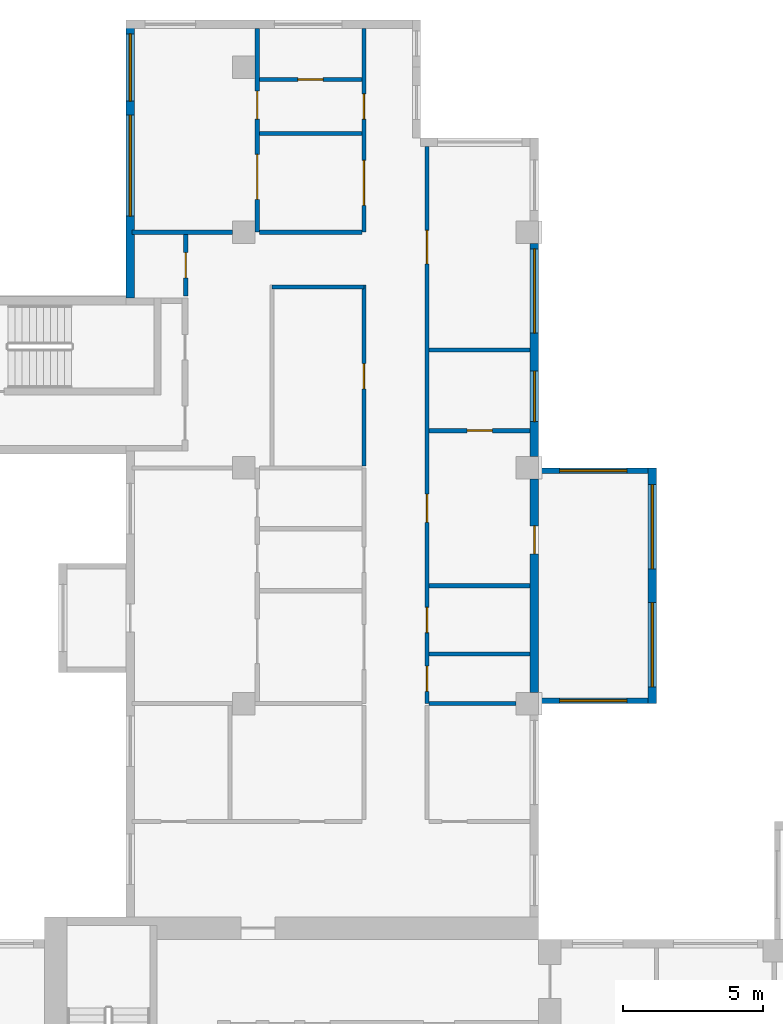
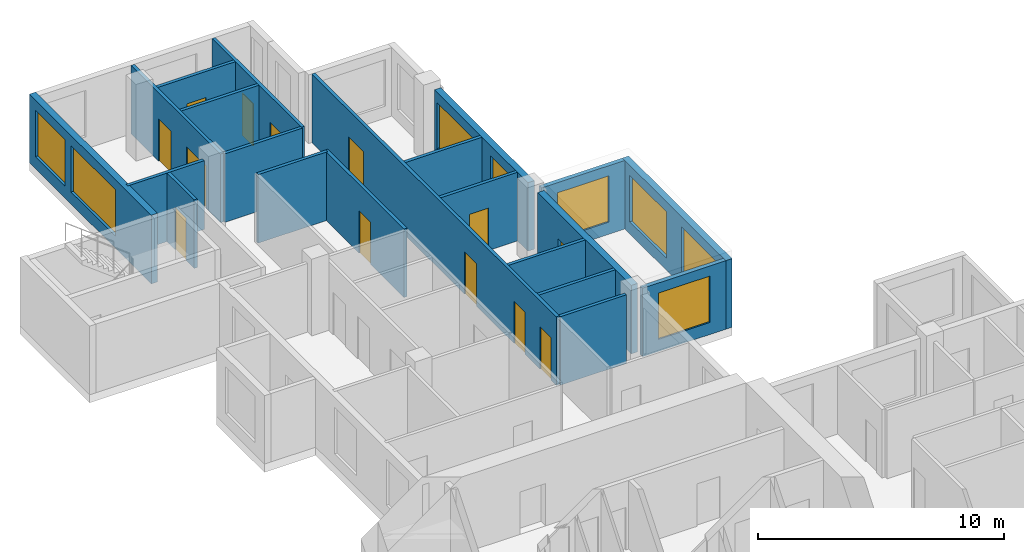
# One storey, part 7 of 12: 21 walls, 13 doors, 8 windows, 21 openings.
"""IFC4 building model written with IfcOpenShell, lengths in metres."""

from ifc_helpers import new_model, si_unit, direction, frame, frame_2d, origin, place, context, subcontext, project, spatial, rectangle, extrude, source, transform, mapped, material, layer, layer_set, type_object, element, fill, save


model = new_model("IFC4")

# Units and contexts
model_context = context("Model", 3, precision=1e-05, world=origin(), true_north=direction((0.0, 1.0)))
body_context = subcontext(model_context, "Body", "Model", "MODEL_VIEW")
ifc_project = project(units=[si_unit("LENGTHUNIT", "METRE"), si_unit("AREAUNIT", "SQUARE_METRE"), si_unit("VOLUMEUNIT", "CUBIC_METRE"), si_unit("PLANEANGLEUNIT", "RADIAN"), si_unit("MASSUNIT", "GRAM", prefix="KILO")], contexts=[model_context])

# Site, building, storey
site_placement = place(None, origin())
site = spatial("IfcSite", under=ifc_project, at=site_placement, CompositionType="ELEMENT")
building_placement = place(site_placement, origin())
building = spatial("IfcBuilding", under=site, at=building_placement, Name="Aurelian Terraces", CompositionType="ELEMENT")
storey_placement = place(building_placement, frame((0.0, 0.0, 242.4)))
storey = spatial("IfcBuildingStorey", under=building, at=storey_placement, Name="L55", CompositionType="ELEMENT", Elevation=242.4)

# Wall, opening, window
ifc_material_1 = material(Name="Concrete fc' 40 MPa", Category="concrete")
ifc_layer_1 = layer(ifc_material_1, 0.2)
ifc_layer_set_1 = layer_set([ifc_layer_1], Name="BOX BEARING WALL 200")
wall_type_1 = type_object("IfcWallType", Name="BOX BEARING WALL 200", PredefinedType="SOLIDWALL", material=ifc_layer_set_1)
shared_shape_1 = source(origin(), body_context, "Body", "SweptSolid", [
    extrude(rectangle(XDim=3.9, YDim=0.2, at=frame_2d((1.95, 0.0))), origin(), (0.0, 0.0, 1.0), 3.4),
])
wall_1_placement = place(storey_placement, frame((21.0, 29.5, 0.0), z_axis=(0.0, 0.0, 1.0), x_axis=(1.0, 0.0, 0.0)))
wall_1 = element("IfcWall", 1, at=wall_1_placement, inside=storey, type_object=wall_type_1, Name="Box return L55 J78.1", PredefinedType="SOLIDWALL", context=body_context, shape_type="MappedRepresentation", body=[
    mapped(shared_shape_1, transform((0.0, 0.0, 0.0), scale=1.0)),
])
shared_shape_2 = source(origin(), body_context, "Body", "SweptSolid", [
    extrude(rectangle(XDim=2.4, YDim=2.3, at=frame_2d((1.2, 1.15))), frame((0.0, 0.11, 0.0), z_axis=(0.0, -1.0, 0.0), x_axis=(1.0, 0.0, 0.0)), (0.0, 0.0, 1.0), 0.22),
])
opening_1_placement = place(wall_1_placement, frame((0.75, 0.0, 0.6)))
opening_1 = element("IfcOpeningElement", 2, at=opening_1_placement, cuts=wall_1, Name="Opening W2423", PredefinedType="OPENING", context=body_context, shape_type="MappedRepresentation", body=[
    mapped(shared_shape_2, transform((0.0, 0.0, 0.0), scale=1.0)),
])
ifc_material_2 = material(Name="Clear glazing", Category="glass")
window_type_1 = type_object("IfcWindowType", Name="W-2400x2300", PartitioningType="SINGLE_PANEL", PredefinedType="WINDOW", material=ifc_material_2)
shared_shape_3 = source(origin(), body_context, "Body", "SweptSolid", [
    extrude(rectangle(XDim=2.4, YDim=2.3, at=frame_2d((1.2, 1.15))), frame((0.0, 0.03, 0.0), z_axis=(0.0, -1.0, 0.0), x_axis=(1.0, 0.0, 0.0)), (0.0, 0.0, 1.0), 0.06),
])
window_1_placement = place(opening_1_placement, origin())
window_1 = element("IfcWindow", 3, at=window_1_placement, inside=storey, type_object=window_type_1, Name="Window L55 J78-S1", OverallHeight=2.3, OverallWidth=2.4, PartitioningType="SINGLE_PANEL", PredefinedType="WINDOW", context=body_context, shape_type="MappedRepresentation", body=[
    mapped(shared_shape_3, transform((0.0, 0.0, 0.0), scale=1.0)),
])
fill(opening_1, window_1)

wall_2_placement = place(storey_placement, frame((21.0, 37.7, 0.0), z_axis=(0.0, 0.0, 1.0), x_axis=(1.0, 0.0, 0.0)))
wall_2 = element("IfcWall", 4, at=wall_2_placement, inside=storey, type_object=wall_type_1, Name="Box return L55 J78.2", PredefinedType="SOLIDWALL", context=body_context, shape_type="MappedRepresentation", body=[
    mapped(shared_shape_1, transform((0.0, 0.0, 0.0), scale=1.0)),
])
opening_2_placement = place(wall_2_placement, frame((0.75, 0.0, 0.6)))
opening_2 = element("IfcOpeningElement", 5, at=opening_2_placement, cuts=wall_2, Name="Opening W2423", PredefinedType="OPENING", context=body_context, shape_type="MappedRepresentation", body=[
    mapped(shared_shape_2, transform((0.0, 0.0, 0.0), scale=1.0)),
])
window_2_placement = place(opening_2_placement, origin())
window_2 = element("IfcWindow", 6, at=window_2_placement, inside=storey, type_object=window_type_1, Name="Window L55 J78-S2", OverallHeight=2.3, OverallWidth=2.4, PartitioningType="SINGLE_PANEL", PredefinedType="WINDOW", context=body_context, shape_type="MappedRepresentation", body=[
    mapped(shared_shape_3, transform((0.0, 0.0, 0.0), scale=1.0)),
])
fill(opening_2, window_2)

# Wall, openings, windows
ifc_material_3 = material(Name="Terracotta rainscreen cladding", Category="masonry")
ifc_layer_2 = layer(ifc_material_3, 0.3)
ifc_layer_set_2 = layer_set([ifc_layer_2], Name="EW-300")
wall_type_2 = type_object("IfcWallType", Name="EW-300", PredefinedType="STANDARD", material=ifc_layer_set_2)
shared_shape_4 = source(origin(), body_context, "Body", "SweptSolid", [
    extrude(rectangle(XDim=9.91, YDim=0.3, at=frame_2d((4.955, 0.0))), origin(), (0.0, 0.0, 1.0), 3.4),
])
wall_3_placement = place(storey_placement, frame((6.45, 53.76, 0.0), z_axis=(0.0, 0.0, 1.0), x_axis=(0.0, -1.0, 0.0)))
wall_3 = element("IfcWall", 7, at=wall_3_placement, inside=storey, type_object=wall_type_2, Name="External wall L55 F12.24", PredefinedType="STANDARD", context=body_context, shape_type="MappedRepresentation", body=[
    mapped(shared_shape_4, transform((0.0, 0.0, 0.0), scale=1.0)),
])
shared_shape_5 = source(origin(), body_context, "Body", "SweptSolid", [
    extrude(rectangle(XDim=3.6, YDim=2.3, at=frame_2d((1.8, 1.15))), frame((0.0, 0.16, 0.0), z_axis=(0.0, -1.0, 0.0), x_axis=(1.0, 0.0, 0.0)), (0.0, 0.0, 1.0), 0.32),
])
opening_3_placement = place(wall_3_placement, frame((3.39, 0.0, 0.6)))
opening_3 = element("IfcOpeningElement", 8, at=opening_3_placement, cuts=wall_3, Name="Opening W3623", PredefinedType="OPENING", context=body_context, shape_type="MappedRepresentation", body=[
    mapped(shared_shape_5, transform((0.0, 0.0, 0.0), scale=1.0)),
])
shared_shape_6 = source(origin(), body_context, "Body", "SweptSolid", [
    extrude(rectangle(XDim=2.4, YDim=2.3, at=frame_2d((1.2, 1.15))), frame((0.0, 0.16, 0.0), z_axis=(0.0, -1.0, 0.0), x_axis=(1.0, 0.0, 0.0)), (0.0, 0.0, 1.0), 0.32),
])
opening_4_placement = place(wall_3_placement, frame((0.495, 0.0, 0.6)))
opening_4 = element("IfcOpeningElement", 9, at=opening_4_placement, cuts=wall_3, Name="Opening W2423", PredefinedType="OPENING", context=body_context, shape_type="MappedRepresentation", body=[
    mapped(shared_shape_6, transform((0.0, 0.0, 0.0), scale=1.0)),
])
window_type_2 = type_object("IfcWindowType", Name="W-3600x2300", PartitioningType="SINGLE_PANEL", PredefinedType="WINDOW", material=ifc_material_2)
shared_shape_7 = source(origin(), body_context, "Body", "SweptSolid", [
    extrude(rectangle(XDim=3.6, YDim=2.3, at=frame_2d((1.8, 1.15))), frame((0.0, 0.03, 0.0), z_axis=(0.0, -1.0, 0.0), x_axis=(1.0, 0.0, 0.0)), (0.0, 0.0, 1.0), 0.06),
])
window_3_placement = place(opening_3_placement, origin())
window_3 = element("IfcWindow", 10, at=window_3_placement, inside=storey, type_object=window_type_2, Name="Window L55 L55-F12-24-1", OverallHeight=2.3, OverallWidth=3.6, PartitioningType="SINGLE_PANEL", PredefinedType="WINDOW", context=body_context, shape_type="MappedRepresentation", body=[
    mapped(shared_shape_7, transform((0.0, 0.0, 0.0), scale=1.0)),
])
fill(opening_3, window_3)
window_4_placement = place(opening_4_placement, origin())
window_4 = element("IfcWindow", 11, at=window_4_placement, inside=storey, type_object=window_type_1, Name="Window L55 L55-F12-24-G0-0", OverallHeight=2.3, OverallWidth=2.4, PartitioningType="SINGLE_PANEL", PredefinedType="WINDOW", context=body_context, shape_type="MappedRepresentation", body=[
    mapped(shared_shape_3, transform((0.0, 0.0, 0.0), scale=1.0)),
])
fill(opening_4, window_4)

# Wall, opening, door
shared_shape_8 = source(origin(), body_context, "Body", "SweptSolid", [
    extrude(rectangle(XDim=7.6, YDim=0.3, at=frame_2d((3.8, 0.0))), origin(), (0.0, 0.0, 1.0), 3.4),
])
wall_4_placement = place(storey_placement, frame((20.85, 29.8, 0.0), z_axis=(0.0, 0.0, 1.0), x_axis=(0.0, 1.0, 0.0)))
wall_4 = element("IfcWall", 12, at=wall_4_placement, inside=storey, type_object=wall_type_2, Name="External wall L55 F08.17", PredefinedType="STANDARD", context=body_context, shape_type="MappedRepresentation", body=[
    mapped(shared_shape_8, transform((0.0, 0.0, 0.0), scale=1.0)),
])
shared_shape_9 = source(origin(), body_context, "Body", "SweptSolid", [
    extrude(rectangle(XDim=1.0, YDim=2.1, at=frame_2d((0.5, 1.05))), frame((0.0, 0.16, 0.0), z_axis=(0.0, -1.0, 0.0), x_axis=(1.0, 0.0, 0.0)), (0.0, 0.0, 1.0), 0.32),
])
opening_5_placement = place(wall_4_placement, frame((4.9333, 0.0, 0.0)))
opening_5 = element("IfcOpeningElement", 13, at=opening_5_placement, cuts=wall_4, Name="Opening 855001", PredefinedType="OPENING", context=body_context, shape_type="MappedRepresentation", body=[
    mapped(shared_shape_9, transform((0.0, 0.0, 0.0), scale=1.0)),
])
ifc_material_4 = material(Name="Timber door leaf", Category="wood")
door_type_1 = type_object("IfcDoorType", Name="Room door 1000x2100 left", OperationType="SINGLE_SWING_LEFT", PredefinedType="DOOR", material=ifc_material_4)
shared_shape_10 = source(origin(), body_context, "Body", "SweptSolid", [
    extrude(rectangle(XDim=1.0, YDim=2.1, at=frame_2d((0.5, 1.05))), frame((0.0, 0.025, 0.0), z_axis=(0.0, -1.0, 0.0), x_axis=(1.0, 0.0, 0.0)), (0.0, 0.0, 1.0), 0.05),
])
door_1_placement = place(opening_5_placement, origin())
door_1 = element("IfcDoor", 14, at=door_1_placement, inside=storey, type_object=door_type_1, Name="Door 855001", OperationType="SINGLE_SWING_LEFT", OverallHeight=2.1, OverallWidth=1.0, PredefinedType="DOOR", context=body_context, shape_type="MappedRepresentation", body=[
    mapped(shared_shape_10, transform((0.0, 0.0, 0.0), scale=1.0)),
])
fill(opening_5, door_1)

# Wall, openings, windows
wall_5_placement = place(storey_placement, frame((20.85, 38.2, 0.0), z_axis=(0.0, 0.0, 1.0), x_axis=(0.0, 1.0, 0.0)))
wall_5 = element("IfcWall", 15, at=wall_5_placement, inside=storey, type_object=wall_type_2, Name="External wall L55 F08.18", PredefinedType="STANDARD", context=body_context, shape_type="MappedRepresentation", body=[
    mapped(shared_shape_8, transform((0.0, 0.0, 0.0), scale=1.0)),
])
shared_shape_11 = source(origin(), body_context, "Body", "SweptSolid", [
    extrude(rectangle(XDim=1.8, YDim=2.3, at=frame_2d((0.9, 1.15))), frame((0.0, 0.16, 0.0), z_axis=(0.0, -1.0, 0.0), x_axis=(1.0, 0.0, 0.0)), (0.0, 0.0, 1.0), 0.32),
])
opening_6_placement = place(wall_5_placement, frame((1.25, 0.0, 0.6)))
opening_6 = element("IfcOpeningElement", 16, at=opening_6_placement, cuts=wall_5, Name="Opening W1823", PredefinedType="OPENING", context=body_context, shape_type="MappedRepresentation", body=[
    mapped(shared_shape_11, transform((0.0, 0.0, 0.0), scale=1.0)),
])
shared_shape_12 = source(origin(), body_context, "Body", "SweptSolid", [
    extrude(rectangle(XDim=3.0, YDim=2.3, at=frame_2d((1.5, 1.15))), frame((0.0, 0.16, 0.0), z_axis=(0.0, -1.0, 0.0), x_axis=(1.0, 0.0, 0.0)), (0.0, 0.0, 1.0), 0.32),
])
opening_7_placement = place(wall_5_placement, frame((4.4, 0.0, 0.6)))
opening_7 = element("IfcOpeningElement", 17, at=opening_7_placement, cuts=wall_5, Name="Opening W3023", PredefinedType="OPENING", context=body_context, shape_type="MappedRepresentation", body=[
    mapped(shared_shape_12, transform((0.0, 0.0, 0.0), scale=1.0)),
])
window_type_3 = type_object("IfcWindowType", Name="W-3000x2300", PartitioningType="SINGLE_PANEL", PredefinedType="WINDOW", material=ifc_material_2)
shared_shape_13 = source(origin(), body_context, "Body", "SweptSolid", [
    extrude(rectangle(XDim=3.0, YDim=2.3, at=frame_2d((1.5, 1.15))), frame((0.0, 0.03, 0.0), z_axis=(0.0, -1.0, 0.0), x_axis=(1.0, 0.0, 0.0)), (0.0, 0.0, 1.0), 0.06),
])
window_5_placement = place(opening_7_placement, origin())
window_5 = element("IfcWindow", 18, at=window_5_placement, inside=storey, type_object=window_type_3, Name="Window L55 L55-F08-18-1", OverallHeight=2.3, OverallWidth=3.0, PartitioningType="SINGLE_PANEL", PredefinedType="WINDOW", context=body_context, shape_type="MappedRepresentation", body=[
    mapped(shared_shape_13, transform((0.0, 0.0, 0.0), scale=1.0)),
])
fill(opening_7, window_5)
window_type_4 = type_object("IfcWindowType", Name="W-1800x2300", PartitioningType="SINGLE_PANEL", PredefinedType="WINDOW", material=ifc_material_2)
shared_shape_14 = source(origin(), body_context, "Body", "SweptSolid", [
    extrude(rectangle(XDim=1.8, YDim=2.3, at=frame_2d((0.9, 1.15))), frame((0.0, 0.03, 0.0), z_axis=(0.0, -1.0, 0.0), x_axis=(1.0, 0.0, 0.0)), (0.0, 0.0, 1.0), 0.06),
])
window_6_placement = place(opening_6_placement, origin())
window_6 = element("IfcWindow", 19, at=window_6_placement, inside=storey, type_object=window_type_4, Name="Window L55 L55-F08-18-0", OverallHeight=2.3, OverallWidth=1.8, PartitioningType="SINGLE_PANEL", PredefinedType="WINDOW", context=body_context, shape_type="MappedRepresentation", body=[
    mapped(shared_shape_14, transform((0.0, 0.0, 0.0), scale=1.0)),
])
fill(opening_6, window_6)

ifc_layer_3 = layer(ifc_material_1, 0.3)
ifc_layer_set_3 = layer_set([ifc_layer_3], Name="BOX BEARING WALL 300")
wall_type_3 = type_object("IfcWallType", Name="BOX BEARING WALL 300", PredefinedType="SOLIDWALL", material=ifc_layer_set_3)
shared_shape_15 = source(origin(), body_context, "Body", "SweptSolid", [
    extrude(rectangle(XDim=8.4, YDim=0.3, at=frame_2d((4.2, 0.0))), origin(), (0.0, 0.0, 1.0), 3.4),
])
wall_6_placement = place(storey_placement, frame((25.05, 29.4, 0.0), z_axis=(0.0, 0.0, 1.0), x_axis=(0.0, 1.0, 0.0)))
wall_6 = element("IfcWall", 20, at=wall_6_placement, inside=storey, type_object=wall_type_3, Name="Box wall L55 J78", PredefinedType="SOLIDWALL", context=body_context, shape_type="MappedRepresentation", body=[
    mapped(shared_shape_15, transform((0.0, 0.0, 0.0), scale=1.0)),
])
opening_8_placement = place(wall_6_placement, frame((0.6, 0.0, 0.6)))
opening_8 = element("IfcOpeningElement", 21, at=opening_8_placement, cuts=wall_6, Name="Opening W3023", PredefinedType="OPENING", context=body_context, shape_type="MappedRepresentation", body=[
    mapped(shared_shape_12, transform((0.0, 0.0, 0.0), scale=1.0)),
])
opening_9_placement = place(wall_6_placement, frame((4.8, 0.0, 0.6)))
opening_9 = element("IfcOpeningElement", 22, at=opening_9_placement, cuts=wall_6, Name="Opening W3023", PredefinedType="OPENING", context=body_context, shape_type="MappedRepresentation", body=[
    mapped(shared_shape_12, transform((0.0, 0.0, 0.0), scale=1.0)),
])
window_7_placement = place(opening_8_placement, origin())
window_7 = element("IfcWindow", 23, at=window_7_placement, inside=storey, type_object=window_type_3, Name="Window L55 J78-F1", OverallHeight=2.3, OverallWidth=3.0, PartitioningType="SINGLE_PANEL", PredefinedType="WINDOW", context=body_context, shape_type="MappedRepresentation", body=[
    mapped(shared_shape_13, transform((0.0, 0.0, 0.0), scale=1.0)),
])
fill(opening_8, window_7)
window_8_placement = place(opening_9_placement, origin())
window_8 = element("IfcWindow", 24, at=window_8_placement, inside=storey, type_object=window_type_3, Name="Window L55 J78-F2", OverallHeight=2.3, OverallWidth=3.0, PartitioningType="SINGLE_PANEL", PredefinedType="WINDOW", context=body_context, shape_type="MappedRepresentation", body=[
    mapped(shared_shape_13, transform((0.0, 0.0, 0.0), scale=1.0)),
])
fill(opening_9, window_8)

# Wall, opening, door
ifc_material_5 = material(Name="Gypsum board on steel studs", Category="steel")
ifc_layer_4 = layer(ifc_material_5, 0.15)
ifc_layer_set_4 = layer_set([ifc_layer_4], Name="Fire partition 150")
wall_type_4 = type_object("IfcWallType", Name="Fire partition 150", PredefinedType="PARTITIONING", material=ifc_layer_set_4)
shared_shape_16 = source(origin(), body_context, "Body", "SweptSolid", [
    extrude(rectangle(XDim=6.45, YDim=0.15, at=frame_2d((3.225, 0.0))), origin(), (0.0, 0.0, 1.0), 3.4),
])
wall_7_placement = place(storey_placement, frame((14.775, 37.875, 0.0), z_axis=(0.0, 0.0, 1.0), x_axis=(0.0, 1.0, 0.0)))
wall_7 = element("IfcWall", 25, at=wall_7_placement, inside=storey, type_object=wall_type_4, Name="Corridor wall", PredefinedType="PARTITIONING", context=body_context, shape_type="MappedRepresentation", body=[
    mapped(shared_shape_16, transform((0.0, 0.0, 0.0), scale=1.0)),
])
shared_shape_17 = source(origin(), body_context, "Body", "SweptSolid", [
    extrude(rectangle(XDim=0.9, YDim=2.1, at=frame_2d((0.45, 1.05))), frame((0.0, 0.085, 0.0), z_axis=(0.0, -1.0, 0.0), x_axis=(1.0, 0.0, 0.0)), (0.0, 0.0, 1.0), 0.17),
])
opening_10_placement = place(wall_7_placement, frame((2.7375, 0.0, 0.0)))
opening_10 = element("IfcOpeningElement", 26, at=opening_10_placement, cuts=wall_7, Name="Opening 755025", PredefinedType="OPENING", context=body_context, shape_type="MappedRepresentation", body=[
    mapped(shared_shape_17, transform((0.0, 0.0, 0.0), scale=1.0)),
])
door_type_2 = type_object("IfcDoorType", Name="Room door 900x2100 left", OperationType="SINGLE_SWING_LEFT", PredefinedType="DOOR", material=ifc_material_4)
shared_shape_18 = source(origin(), body_context, "Body", "SweptSolid", [
    extrude(rectangle(XDim=0.9, YDim=2.1, at=frame_2d((0.45, 1.05))), frame((0.0, 0.025, 0.0), z_axis=(0.0, -1.0, 0.0), x_axis=(1.0, 0.0, 0.0)), (0.0, 0.0, 1.0), 0.05),
])
door_2_placement = place(opening_10_placement, origin())
door_2 = element("IfcDoor", 27, at=door_2_placement, inside=storey, type_object=door_type_2, Name="Door 755025", OperationType="SINGLE_SWING_LEFT", OverallHeight=2.1, OverallWidth=0.9, PredefinedType="DOOR", context=body_context, shape_type="MappedRepresentation", body=[
    mapped(shared_shape_18, transform((0.0, 0.0, 0.0), scale=1.0)),
])
fill(opening_10, door_2)

# Wall
ifc_layer_5 = layer(ifc_material_5, 0.15)
ifc_layer_set_5 = layer_set([ifc_layer_5], Name="Partition 150")
wall_type_5 = type_object("IfcWallType", Name="Partition 150", PredefinedType="PARTITIONING", material=ifc_layer_set_5)
shared_shape_19 = source(origin(), body_context, "Body", "SweptSolid", [
    extrude(rectangle(XDim=3.6, YDim=0.15, at=frame_2d((1.8, 0.0))), origin(), (0.0, 0.0, 1.0), 3.4),
])
wall_8_placement = place(storey_placement, frame((17.1, 31.1634, 0.0), z_axis=(0.0, 0.0, 1.0), x_axis=(1.0, 0.0, 0.0)))
element("IfcWall", 28, at=wall_8_placement, inside=storey, type_object=wall_type_5, Name="Partition", PredefinedType="PARTITIONING", context=body_context, shape_type="MappedRepresentation", body=[
    mapped(shared_shape_19, transform((0.0, 0.0, 0.0), scale=1.0)),
])

# Wall, opening, door
wall_9_placement = place(storey_placement, frame((17.1, 39.125, 0.0), z_axis=(0.0, 0.0, 1.0), x_axis=(1.0, 0.0, 0.0)))
wall_9 = element("IfcWall", 29, at=wall_9_placement, inside=storey, type_object=wall_type_5, Name="Partition", PredefinedType="PARTITIONING", context=body_context, shape_type="MappedRepresentation", body=[
    mapped(shared_shape_19, transform((0.0, 0.0, 0.0), scale=1.0)),
])
opening_11_placement = place(wall_9_placement, frame((1.35, 0.0, 0.0)))
opening_11 = element("IfcOpeningElement", 30, at=opening_11_placement, cuts=wall_9, Name="Opening 755039", PredefinedType="OPENING", context=body_context, shape_type="MappedRepresentation", body=[
    mapped(shared_shape_17, transform((0.0, 0.0, 0.0), scale=1.0)),
])
door_3_placement = place(opening_11_placement, origin())
door_3 = element("IfcDoor", 31, at=door_3_placement, inside=storey, type_object=door_type_2, Name="Door 755039", OperationType="SINGLE_SWING_LEFT", OverallHeight=2.1, OverallWidth=0.9, PredefinedType="DOOR", context=body_context, shape_type="MappedRepresentation", body=[
    mapped(shared_shape_18, transform((0.0, 0.0, 0.0), scale=1.0)),
])
fill(opening_11, door_3)

# Walls
for number, where, z_axis, x_axis, name in (
    (32, (20.7, 33.6, 0.0), (0.0, 0.0, 1.0), (-1.0, 0.0, 0.0), "Party wall"),
    (33, (20.7, 42.0, 0.0), (0.0, 0.0, 1.0), (-1.0, 0.0, 0.0), "Party wall"),
):
    element("IfcWall", number, at=place(storey_placement, frame(where, z_axis=z_axis, x_axis=x_axis)), inside=storey, type_object=wall_type_4, Name=name, PredefinedType="PARTITIONING", context=body_context, shape_type="MappedRepresentation", body=[
        mapped(shared_shape_19, transform((0.0, 0.0, 0.0), scale=1.0)),
    ])

# Wall, opening, door
shared_shape_20 = source(origin(), body_context, "Body", "SweptSolid", [
    extrude(rectangle(XDim=2.2, YDim=0.15, at=frame_2d((1.1, 0.0))), origin(), (0.0, 0.0, 1.0), 3.4),
])
wall_10_placement = place(storey_placement, frame((8.425, 43.925, 0.0), z_axis=(0.0, 0.0, 1.0), x_axis=(0.0, 1.0, 0.0)))
wall_10 = element("IfcWall", 34, at=wall_10_placement, inside=storey, type_object=wall_type_5, Name="Partition", PredefinedType="PARTITIONING", context=body_context, shape_type="MappedRepresentation", body=[
    mapped(shared_shape_20, transform((0.0, 0.0, 0.0), scale=1.0)),
])
opening_12_placement = place(wall_10_placement, frame((0.65, 0.0, 0.0)))
opening_12 = element("IfcOpeningElement", 35, at=opening_12_placement, cuts=wall_10, Name="Opening 755026", PredefinedType="OPENING", context=body_context, shape_type="MappedRepresentation", body=[
    mapped(shared_shape_17, transform((0.0, 0.0, 0.0), scale=1.0)),
])
door_4_placement = place(opening_12_placement, origin())
door_4 = element("IfcDoor", 36, at=door_4_placement, inside=storey, type_object=door_type_2, Name="Door 755026", OperationType="SINGLE_SWING_LEFT", OverallHeight=2.1, OverallWidth=0.9, PredefinedType="DOOR", context=body_context, shape_type="MappedRepresentation", body=[
    mapped(shared_shape_18, transform((0.0, 0.0, 0.0), scale=1.0)),
])
fill(opening_12, door_4)

# Wall, openings, doors
shared_shape_21 = source(origin(), body_context, "Body", "SweptSolid", [
    extrude(rectangle(XDim=7.26, YDim=0.15, at=frame_2d((3.63, 0.0))), origin(), (0.0, 0.0, 1.0), 3.4),
])
wall_11_placement = place(storey_placement, frame((10.975, 46.2, 0.0), z_axis=(0.0, 0.0, 1.0), x_axis=(0.0, 1.0, 0.0)))
wall_11 = element("IfcWall", 37, at=wall_11_placement, inside=storey, type_object=wall_type_5, Name="Partition", PredefinedType="PARTITIONING", context=body_context, shape_type="MappedRepresentation", body=[
    mapped(shared_shape_21, transform((0.0, 0.0, 0.0), scale=1.0)),
])
shared_shape_22 = source(origin(), body_context, "Body", "SweptSolid", [
    extrude(rectangle(XDim=1.6, YDim=2.1, at=frame_2d((0.8, 1.05))), frame((0.0, 0.085, 0.0), z_axis=(0.0, -1.0, 0.0), x_axis=(1.0, 0.0, 0.0)), (0.0, 0.0, 1.0), 0.17),
])
opening_13_placement = place(wall_11_placement, frame((1.1689, 0.0, 0.0)))
opening_13 = element("IfcOpeningElement", 38, at=opening_13_placement, cuts=wall_11, Name="Opening 755033", PredefinedType="OPENING", context=body_context, shape_type="MappedRepresentation", body=[
    mapped(shared_shape_22, transform((0.0, 0.0, 0.0), scale=1.0)),
])
shared_shape_23 = source(origin(), body_context, "Body", "SweptSolid", [
    extrude(rectangle(XDim=1.0, YDim=2.1, at=frame_2d((0.5, 1.05))), frame((0.0, 0.085, 0.0), z_axis=(0.0, -1.0, 0.0), x_axis=(1.0, 0.0, 0.0)), (0.0, 0.0, 1.0), 0.17),
])
opening_14_placement = place(wall_11_placement, frame((4.0254, 0.0, 0.0)))
opening_14 = element("IfcOpeningElement", 39, at=opening_14_placement, cuts=wall_11, Name="Opening 755034", PredefinedType="OPENING", context=body_context, shape_type="MappedRepresentation", body=[
    mapped(shared_shape_23, transform((0.0, 0.0, 0.0), scale=1.0)),
])
door_type_3 = type_object("IfcDoorType", Name="Room door 1000x2100 right", OperationType="SINGLE_SWING_RIGHT", PredefinedType="DOOR", material=ifc_material_4)
door_5_placement = place(opening_14_placement, origin())
door_5 = element("IfcDoor", 40, at=door_5_placement, inside=storey, type_object=door_type_3, Name="Door 755034", OperationType="SINGLE_SWING_RIGHT", OverallHeight=2.1, OverallWidth=1.0, PredefinedType="DOOR", context=body_context, shape_type="MappedRepresentation", body=[
    mapped(shared_shape_10, transform((0.0, 0.0, 0.0), scale=1.0)),
])
fill(opening_14, door_5)
door_type_4 = type_object("IfcDoorType", Name="Room door 1600x2100 left", OperationType="SINGLE_SWING_LEFT", PredefinedType="DOOR", material=ifc_material_4)
shared_shape_24 = source(origin(), body_context, "Body", "SweptSolid", [
    extrude(rectangle(XDim=1.6, YDim=2.1, at=frame_2d((0.8, 1.05))), frame((0.0, 0.025, 0.0), z_axis=(0.0, -1.0, 0.0), x_axis=(1.0, 0.0, 0.0)), (0.0, 0.0, 1.0), 0.05),
])
door_6_placement = place(opening_13_placement, origin())
door_6 = element("IfcDoor", 41, at=door_6_placement, inside=storey, type_object=door_type_4, Name="Door 755033", OperationType="SINGLE_SWING_LEFT", OverallHeight=2.1, OverallWidth=1.6, PredefinedType="DOOR", context=body_context, shape_type="MappedRepresentation", body=[
    mapped(shared_shape_24, transform((0.0, 0.0, 0.0), scale=1.0)),
])
fill(opening_13, door_6)

wall_12_placement = place(storey_placement, frame((14.775, 46.2, 0.0), z_axis=(0.0, 0.0, 1.0), x_axis=(0.0, 1.0, 0.0)))
wall_12 = element("IfcWall", 42, at=wall_12_placement, inside=storey, type_object=wall_type_4, Name="Corridor wall", PredefinedType="PARTITIONING", context=body_context, shape_type="MappedRepresentation", body=[
    mapped(shared_shape_21, transform((0.0, 0.0, 0.0), scale=1.0)),
])
opening_15_placement = place(wall_12_placement, frame((0.9564, 0.0, 0.0)))
opening_15 = element("IfcOpeningElement", 43, at=opening_15_placement, cuts=wall_12, Name="Opening 755032", PredefinedType="OPENING", context=body_context, shape_type="MappedRepresentation", body=[
    mapped(shared_shape_22, transform((0.0, 0.0, 0.0), scale=1.0)),
])
opening_16_placement = place(wall_12_placement, frame((4.0254, 0.0, 0.0)))
opening_16 = element("IfcOpeningElement", 44, at=opening_16_placement, cuts=wall_12, Name="Opening 755035", PredefinedType="OPENING", context=body_context, shape_type="MappedRepresentation", body=[
    mapped(shared_shape_17, transform((0.0, 0.0, 0.0), scale=1.0)),
])
ifc_material_6 = material(Name="Steel door leaf", Category="steel")
door_type_5 = type_object("IfcDoorType", Name="Entrance fire door 900x2100 right", OperationType="SINGLE_SWING_RIGHT", PredefinedType="DOOR", material=ifc_material_6)
door_7_placement = place(opening_16_placement, origin())
door_7 = element("IfcDoor", 45, at=door_7_placement, inside=storey, type_object=door_type_5, Name="Door 755035", OperationType="SINGLE_SWING_RIGHT", OverallHeight=2.1, OverallWidth=0.9, PredefinedType="DOOR", context=body_context, shape_type="MappedRepresentation", body=[
    mapped(shared_shape_18, transform((0.0, 0.0, 0.0), scale=1.0)),
])
fill(opening_16, door_7)
door_type_6 = type_object("IfcDoorType", Name="Entrance fire door 1600x2100 right", OperationType="SINGLE_SWING_RIGHT", PredefinedType="DOOR", material=ifc_material_6)
door_8_placement = place(opening_15_placement, origin())
door_8 = element("IfcDoor", 46, at=door_8_placement, inside=storey, type_object=door_type_6, Name="Door 755032", OperationType="SINGLE_SWING_RIGHT", OverallHeight=2.1, OverallWidth=1.6, PredefinedType="DOOR", context=body_context, shape_type="MappedRepresentation", body=[
    mapped(shared_shape_24, transform((0.0, 0.0, 0.0), scale=1.0)),
])
fill(opening_15, door_8)

shared_shape_25 = source(origin(), body_context, "Body", "SweptSolid", [
    extrude(rectangle(XDim=19.86, YDim=0.15, at=frame_2d((9.93, 0.0))), origin(), (0.0, 0.0, 1.0), 3.4),
])
wall_13_placement = place(storey_placement, frame((17.025, 49.26, 0.0), z_axis=(0.0, 0.0, 1.0), x_axis=(0.0, -1.0, 0.0)))
wall_13 = element("IfcWall", 47, at=wall_13_placement, inside=storey, type_object=wall_type_4, Name="Corridor wall", PredefinedType="PARTITIONING", context=body_context, shape_type="MappedRepresentation", body=[
    mapped(shared_shape_25, transform((0.0, 0.0, 0.0), scale=1.0)),
])
opening_17_placement = place(wall_13_placement, frame((18.5283, 0.0, 0.0)))
opening_17 = element("IfcOpeningElement", 48, at=opening_17_placement, cuts=wall_13, Name="Opening 755036", PredefinedType="OPENING", context=body_context, shape_type="MappedRepresentation", body=[
    mapped(shared_shape_17, transform((0.0, 0.0, 0.0), scale=1.0)),
])
opening_18_placement = place(wall_13_placement, frame((16.4283, 0.0, 0.0)))
opening_18 = element("IfcOpeningElement", 49, at=opening_18_placement, cuts=wall_13, Name="Opening 755037", PredefinedType="OPENING", context=body_context, shape_type="MappedRepresentation", body=[
    mapped(shared_shape_17, transform((0.0, 0.0, 0.0), scale=1.0)),
])
opening_19_placement = place(wall_13_placement, frame((12.3975, 0.0, 0.0)))
opening_19 = element("IfcOpeningElement", 50, at=opening_19_placement, cuts=wall_13, Name="Opening 755038", PredefinedType="OPENING", context=body_context, shape_type="MappedRepresentation", body=[
    mapped(shared_shape_23, transform((0.0, 0.0, 0.0), scale=1.0)),
])
shared_shape_26 = source(origin(), body_context, "Body", "SweptSolid", [
    extrude(rectangle(XDim=1.2, YDim=2.1, at=frame_2d((0.6, 1.05))), frame((0.0, 0.085, 0.0), z_axis=(0.0, -1.0, 0.0), x_axis=(1.0, 0.0, 0.0)), (0.0, 0.0, 1.0), 0.17),
])
opening_20_placement = place(wall_13_placement, frame((2.9925, 0.0, 0.0)))
opening_20 = element("IfcOpeningElement", 51, at=opening_20_placement, cuts=wall_13, Name="Opening 755040", PredefinedType="OPENING", context=body_context, shape_type="MappedRepresentation", body=[
    mapped(shared_shape_26, transform((0.0, 0.0, 0.0), scale=1.0)),
])
door_type_7 = type_object("IfcDoorType", Name="Entrance fire door 1000x2100 right", OperationType="SINGLE_SWING_RIGHT", PredefinedType="DOOR", material=ifc_material_6)
door_9_placement = place(opening_19_placement, origin())
door_9 = element("IfcDoor", 52, at=door_9_placement, inside=storey, type_object=door_type_7, Name="Door 755038", OperationType="SINGLE_SWING_RIGHT", OverallHeight=2.1, OverallWidth=1.0, PredefinedType="DOOR", context=body_context, shape_type="MappedRepresentation", body=[
    mapped(shared_shape_10, transform((0.0, 0.0, 0.0), scale=1.0)),
])
fill(opening_19, door_9)
door_10_placement = place(opening_17_placement, origin())
door_10 = element("IfcDoor", 53, at=door_10_placement, inside=storey, type_object=door_type_5, Name="Door 755036", OperationType="SINGLE_SWING_RIGHT", OverallHeight=2.1, OverallWidth=0.9, PredefinedType="DOOR", context=body_context, shape_type="MappedRepresentation", body=[
    mapped(shared_shape_18, transform((0.0, 0.0, 0.0), scale=1.0)),
])
fill(opening_17, door_10)
door_type_8 = type_object("IfcDoorType", Name="Entrance fire door 900x2100 left", OperationType="SINGLE_SWING_LEFT", PredefinedType="DOOR", material=ifc_material_6)
door_11_placement = place(opening_18_placement, origin())
door_11 = element("IfcDoor", 54, at=door_11_placement, inside=storey, type_object=door_type_8, Name="Door 755037", OperationType="SINGLE_SWING_LEFT", OverallHeight=2.1, OverallWidth=0.9, PredefinedType="DOOR", context=body_context, shape_type="MappedRepresentation", body=[
    mapped(shared_shape_18, transform((0.0, 0.0, 0.0), scale=1.0)),
])
fill(opening_18, door_11)
door_type_9 = type_object("IfcDoorType", Name="Entrance fire door 1200x2100 right", OperationType="SINGLE_SWING_RIGHT", PredefinedType="DOOR", material=ifc_material_6)
shared_shape_27 = source(origin(), body_context, "Body", "SweptSolid", [
    extrude(rectangle(XDim=1.2, YDim=2.1, at=frame_2d((0.6, 1.05))), frame((0.0, 0.025, 0.0), z_axis=(0.0, -1.0, 0.0), x_axis=(1.0, 0.0, 0.0)), (0.0, 0.0, 1.0), 0.05),
])
door_12_placement = place(opening_20_placement, origin())
door_12 = element("IfcDoor", 55, at=door_12_placement, inside=storey, type_object=door_type_9, Name="Door 755040", OperationType="SINGLE_SWING_RIGHT", OverallHeight=2.1, OverallWidth=1.2, PredefinedType="DOOR", context=body_context, shape_type="MappedRepresentation", body=[
    mapped(shared_shape_27, transform((0.0, 0.0, 0.0), scale=1.0)),
])
fill(opening_20, door_12)

# Walls
shared_shape_28 = source(origin(), body_context, "Body", "SweptSolid", [
    extrude(rectangle(XDim=3.275, YDim=0.15, at=frame_2d((1.6375, 0.0))), origin(), (0.0, 0.0, 1.0), 3.4),
])
wall_14_placement = place(storey_placement, frame((14.775, 44.25, 0.0), z_axis=(0.0, 0.0, 1.0), x_axis=(-1.0, 0.0, 0.0)))
element("IfcWall", 56, at=wall_14_placement, inside=storey, type_object=wall_type_5, Name="Partition", PredefinedType="PARTITIONING", context=body_context, shape_type="MappedRepresentation", body=[
    mapped(shared_shape_28, transform((0.0, 0.0, 0.0), scale=1.0)),
])
shared_shape_29 = source(origin(), body_context, "Body", "SweptSolid", [
    extrude(rectangle(XDim=3.101, YDim=0.15, at=frame_2d((1.5505, 0.0))), origin(), (0.0, 0.0, 1.0), 3.4),
])
wall_15_placement = place(storey_placement, frame((20.201, 29.4, 0.0), z_axis=(0.0, 0.0, 1.0), x_axis=(-1.0, 0.0, 0.0)))
element("IfcWall", 57, at=wall_15_placement, inside=storey, type_object=wall_type_5, Name="Partition", PredefinedType="PARTITIONING", context=body_context, shape_type="MappedRepresentation", body=[
    mapped(shared_shape_29, transform((0.0, 0.0, 0.0), scale=1.0)),
])
shared_shape_30 = source(origin(), body_context, "Body", "SweptSolid", [
    extrude(rectangle(XDim=3.596, YDim=0.15, at=frame_2d((1.798, 0.0))), origin(), (0.0, 0.0, 1.0), 3.4),
])
wall_16_placement = place(storey_placement, frame((10.101, 46.2, 0.0), z_axis=(0.0, 0.0, 1.0), x_axis=(-1.0, 0.0, 0.0)))
element("IfcWall", 58, at=wall_16_placement, inside=storey, type_object=wall_type_4, Name="Party wall", PredefinedType="PARTITIONING", context=body_context, shape_type="MappedRepresentation", body=[
    mapped(shared_shape_30, transform((0.0, 0.0, 0.0), scale=1.0)),
])
shared_shape_31 = source(origin(), body_context, "Body", "SweptSolid", [
    extrude(rectangle(XDim=3.65, YDim=0.15, at=frame_2d((1.825, 0.0))), origin(), (0.0, 0.0, 1.0), 3.4),
])
wall_17_placement = place(storey_placement, frame((14.7, 49.7128, 0.0), z_axis=(0.0, 0.0, 1.0), x_axis=(-1.0, 0.0, 0.0)))
element("IfcWall", 59, at=wall_17_placement, inside=storey, type_object=wall_type_5, Name="Partition", PredefinedType="PARTITIONING", context=body_context, shape_type="MappedRepresentation", body=[
    mapped(shared_shape_31, transform((0.0, 0.0, 0.0), scale=1.0)),
])

# Wall, opening, door
wall_18_placement = place(storey_placement, frame((14.7, 51.638, 0.0), z_axis=(0.0, 0.0, 1.0), x_axis=(-1.0, 0.0, 0.0)))
wall_18 = element("IfcWall", 60, at=wall_18_placement, inside=storey, type_object=wall_type_5, Name="Partition", PredefinedType="PARTITIONING", context=body_context, shape_type="MappedRepresentation", body=[
    mapped(shared_shape_31, transform((0.0, 0.0, 0.0), scale=1.0)),
])
opening_21_placement = place(wall_18_placement, frame((1.375, 0.0, 0.0)))
opening_21 = element("IfcOpeningElement", 61, at=opening_21_placement, cuts=wall_18, Name="Opening 755043", PredefinedType="OPENING", context=body_context, shape_type="MappedRepresentation", body=[
    mapped(shared_shape_17, transform((0.0, 0.0, 0.0), scale=1.0)),
])
door_13_placement = place(opening_21_placement, origin())
door_13 = element("IfcDoor", 62, at=door_13_placement, inside=storey, type_object=door_type_2, Name="Door 755043", OperationType="SINGLE_SWING_LEFT", OverallHeight=2.1, OverallWidth=0.9, PredefinedType="DOOR", context=body_context, shape_type="MappedRepresentation", body=[
    mapped(shared_shape_18, transform((0.0, 0.0, 0.0), scale=1.0)),
])
fill(opening_21, door_13)

# Wall
wall_19_placement = place(storey_placement, frame((14.7, 46.2, 0.0), z_axis=(0.0, 0.0, 1.0), x_axis=(-1.0, 0.0, 0.0)))
element("IfcWall", 63, at=wall_19_placement, inside=storey, type_object=wall_type_4, Name="Party wall", PredefinedType="PARTITIONING", context=body_context, shape_type="MappedRepresentation", body=[
    mapped(shared_shape_31, transform((0.0, 0.0, 0.0), scale=1.0)),
])

save(model, "model.ifc")
